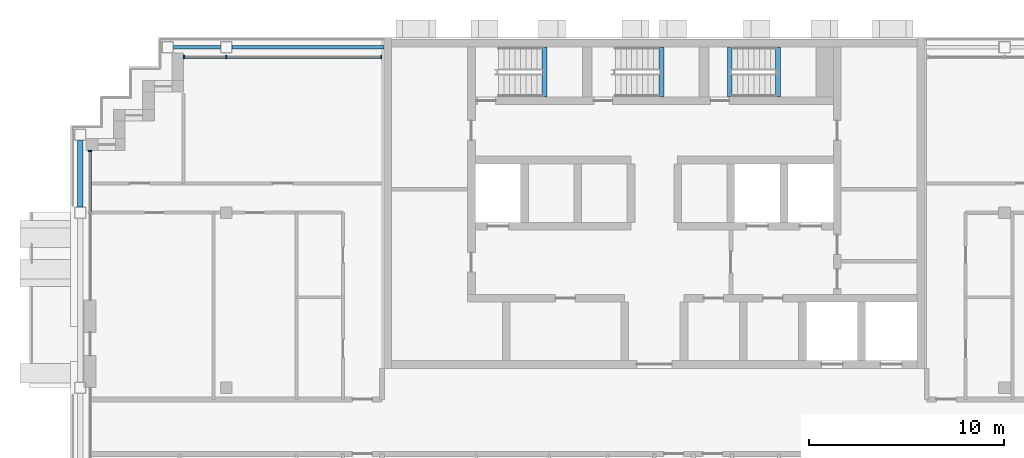
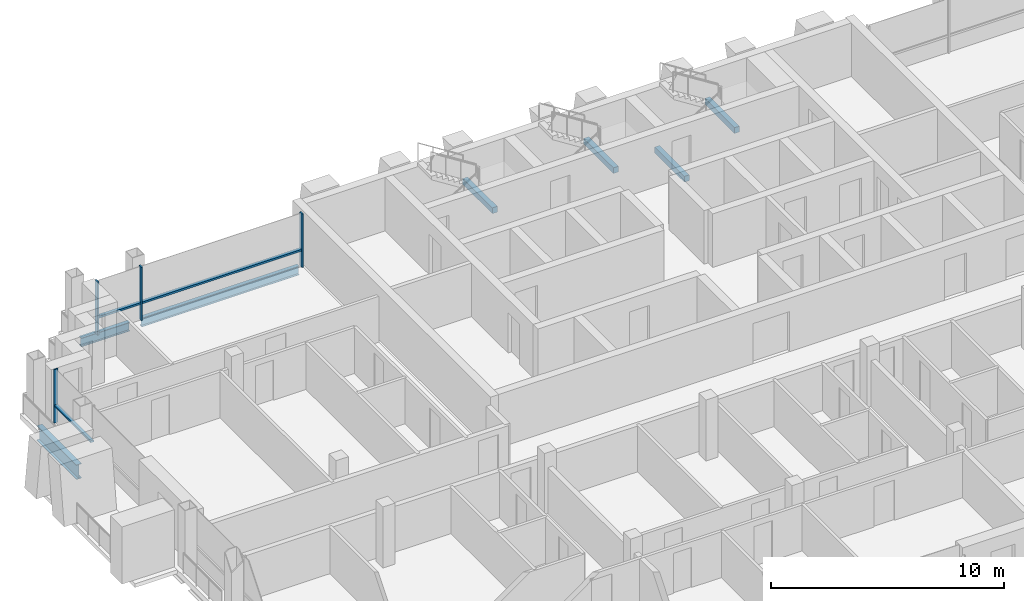
# One storey, part 4 of 15: 7 beams, 7 members, 2 elements without a shape of their own.
"""IFC4 building model written with IfcOpenShell, lengths in metres."""

from ifc_helpers import new_model, si_unit, direction, frame, origin, origin_2d, place, context, subcontext, project, spatial, rectangle, i_section, extrude, material, material_profile, profile_set, type_object, element, aggregate, save


model = new_model("IFC4")

# Units and contexts
model_context = context("Model", 3, precision=1e-05, world=origin(), true_north=direction((0.0, 1.0)))
body_context = subcontext(model_context, "Body", "Model", "MODEL_VIEW")
ifc_project = project(units=[si_unit("LENGTHUNIT", "METRE"), si_unit("AREAUNIT", "SQUARE_METRE"), si_unit("VOLUMEUNIT", "CUBIC_METRE"), si_unit("PLANEANGLEUNIT", "RADIAN"), si_unit("MASSUNIT", "GRAM", prefix="KILO")], contexts=[model_context])

# Site, building, storey
site_placement = place(None, origin())
site = spatial("IfcSite", under=ifc_project, at=site_placement, CompositionType="ELEMENT")
building_placement = place(site_placement, origin())
building = spatial("IfcBuilding", under=site, at=building_placement, Name="Vidyagriha Tower", CompositionType="ELEMENT")
storey_placement = place(building_placement, frame((0.0, 0.0, 236.39990234375)))
storey = spatial("IfcBuildingStorey", under=building, at=storey_placement, Name="L62", CompositionType="ELEMENT", Elevation=236.39990234375)

# Beams
ifc_material_1 = material(Name="Steel ASTM A992 Grade 50", Category="steel")
ifc_material_profile_1 = material_profile(ifc_material_1, i_section(OverallWidth=0.2666015625, OverallDepth=0.76953125, WebThickness=0.015625, FlangeThickness=0.025390625, at=origin_2d()), Name="W30X132")
ifc_profile_set_1 = profile_set([ifc_material_profile_1], Name="Steel ASTM A992 Grade 50")
beam_type_1 = type_object("IfcBeamType", Name="Cantilever edge beam W30X132", PredefinedType="SPANDREL", material=ifc_profile_set_1)
beam_1_placement = place(storey_placement, frame((-29.5, 11.300048828125, -0.664794921875), z_axis=(0.0, 1.0, 0.0), x_axis=(-1.0, 0.0, 0.0)))
element("IfcBeam", 1, at=beam_1_placement, inside=storey, type_object=beam_type_1, Name="st-beam-L62-W12", PredefinedType="SPANDREL", context=body_context, shape_type="SweptSolid", body=[
    extrude(i_section(OverallWidth=0.2666015625, OverallDepth=0.76953125, WebThickness=0.015625, FlangeThickness=0.025390625, at=origin_2d()), origin(), (0.0, 0.0, 1.0), 3.39990234375),
])
ifc_material_2 = material(Name="Steel ASTM A992 Grade 50", Category="steel")
ifc_material_profile_2 = material_profile(ifc_material_2, i_section(OverallWidth=0.19189453125, OverallDepth=0.46240234375, WebThickness=0.010498046875, FlangeThickness=0.017578125, at=origin_2d()), Name="W18X60")
ifc_profile_set_2 = profile_set([ifc_material_profile_2], Name="Steel ASTM A992 Grade 50")
beam_type_2 = type_object("IfcBeamType", Name="Edge beam W18X60", PredefinedType="SPANDREL", material=ifc_profile_set_2)
beam_2_placement = place(storey_placement, frame((-24.699951171875, 19.5, -0.510986328125), z_axis=(1.0, 0.0, 0.0), x_axis=(0.0, 1.0, 0.0)))
element("IfcBeam", 2, at=beam_2_placement, inside=storey, type_object=beam_type_2, Name="st-beam-L62-NW18", PredefinedType="SPANDREL", context=body_context, shape_type="SweptSolid", body=[
    extrude(i_section(OverallWidth=0.19189453125, OverallDepth=0.46240234375, WebThickness=0.010498046875, FlangeThickness=0.017578125, at=origin_2d()), origin(), (0.0, 0.0, 1.0), 2.39990234375),
])
beam_3_placement = place(storey_placement, frame((-21.699951171875, 19.5, -0.510986328125), z_axis=(1.0, 0.0, 0.0), x_axis=(0.0, 1.0, 0.0)))
element("IfcBeam", 3, at=beam_3_placement, inside=storey, type_object=beam_type_2, Name="st-beam-L62-NC20", PredefinedType="SPANDREL", context=body_context, shape_type="SweptSolid", body=[
    extrude(i_section(OverallWidth=0.19189453125, OverallDepth=0.46240234375, WebThickness=0.010498046875, FlangeThickness=0.017578125, at=origin_2d()), origin(), (0.0, 0.0, 1.0), 7.800048828125),
])

# Curtain wall, members
ifc_material_3 = material(Name="Aluminium and glass curtain wall", Category="aluminium")
curtain_wall_type = type_object("IfcCurtainWallType", Name="Dwelling skin unitised curtain wall", PredefinedType="USERDEFINED", material=ifc_material_3)
curtain_wall_1_placement = place(storey_placement, origin())
curtain_wall_1 = element("IfcCurtainWall", 4, at=curtain_wall_1_placement, inside=storey, type_object=curtain_wall_type, Name="CW1 dwelling skin", ObjectType="UNITISED", PredefinedType="USERDEFINED")
ifc_material_4 = material(Name="Aluminium black anodised", Category="aluminium")
ifc_material_profile_3 = material_profile(ifc_material_4, rectangle(XDim=0.199951171875, YDim=0.070068359375, at=origin_2d()), Name="Mullion 70x200 black aluminium")
ifc_profile_set_3 = profile_set([ifc_material_profile_3], Name="Aluminium black anodised")
member_type_1 = type_object("IfcMemberType", Name="Mullion 70x200 black aluminium", PredefinedType="MULLION", material=ifc_profile_set_3)
member_1_placement = place(storey_placement, frame((-14.034912109375, 19.0, 0.0), z_axis=(0.0, 0.0, 1.0), x_axis=(0.0, -1.0, 0.0)))
member_1 = element("IfcMember", 5, at=member_1_placement, type_object=member_type_1, Name="CW1 mullion 1", PredefinedType="MULLION", context=body_context, shape_type="SweptSolid", body=[
    extrude(rectangle(XDim=0.199951171875, YDim=0.070068359375, at=origin_2d()), origin(), (0.0, 0.0, 1.0), 2.800048828125),
])
member_2_placement = place(storey_placement, frame((-22.0, 19.0, 0.0), z_axis=(0.0, 0.0, 1.0), x_axis=(0.0, -1.0, 0.0)))
member_2 = element("IfcMember", 6, at=member_2_placement, type_object=member_type_1, Name="CW1 mullion 2", PredefinedType="MULLION", context=body_context, shape_type="SweptSolid", body=[
    extrude(rectangle(XDim=0.199951171875, YDim=0.070068359375, at=origin_2d()), origin(), (0.0, 0.0, 1.0), 2.800048828125),
])
member_3_placement = place(storey_placement, frame((-24.1650390625, 19.0, 0.0), z_axis=(0.0, 0.0, 1.0), x_axis=(0.0, -1.0, 0.0)))
member_3 = element("IfcMember", 7, at=member_3_placement, type_object=member_type_1, Name="CW1 mullion 3", PredefinedType="MULLION", context=body_context, shape_type="SweptSolid", body=[
    extrude(rectangle(XDim=0.199951171875, YDim=0.070068359375, at=origin_2d()), origin(), (0.0, 0.0, 1.0), 2.800048828125),
])

# Curtain wall, member
curtain_wall_2_placement = place(storey_placement, origin())
curtain_wall_2 = element("IfcCurtainWall", 8, at=curtain_wall_2_placement, inside=storey, type_object=curtain_wall_type, Name="CW1 dwelling skin", ObjectType="UNITISED", PredefinedType="USERDEFINED")
member_4_placement = place(storey_placement, frame((-29.0, 14.1650390625, 0.0)))
member_4 = element("IfcMember", 9, at=member_4_placement, type_object=member_type_1, Name="CW1 mullion 1", PredefinedType="MULLION", context=body_context, shape_type="SweptSolid", body=[
    extrude(rectangle(XDim=0.199951171875, YDim=0.070068359375, at=origin_2d()), origin(), (0.0, 0.0, 1.0), 2.800048828125),
])

# Beams
ifc_material_5 = material(Name="Concrete C40/50", Category="concrete")
ifc_material_profile_4 = material_profile(ifc_material_5, rectangle(XDim=0.25, YDim=0.300048828125, at=origin_2d()), Name="Stair landing bearing beam 250x300")
ifc_profile_set_4 = profile_set([ifc_material_profile_4], Name="Concrete C40/50")
beam_type_3 = type_object("IfcBeamType", Name="Stair landing bearing beam 250x300", PredefinedType="BEAM", material=ifc_profile_set_4)
for number, where, z_axis, x_axis, name in (
    (10, (3.875, 16.949951171875, -0.429931640625), (0.0, 1.0, 0.0), (-1.0, 0.0, 0.0), "ST3 floor landing bearing beam L62"),
    (11, (-5.635009765625, 16.949951171875, 1.25), (0.0, 1.0, 0.0), (-1.0, 0.0, 0.0), "ST1 landing bearing beam L62"),
    (12, (0.364990234375, 16.949951171875, 1.25), (0.0, 1.0, 0.0), (-1.0, 0.0, 0.0), "ST2 landing bearing beam L62"),
    (13, (6.364990234375, 16.949951171875, 1.25), (0.0, 1.0, 0.0), (-1.0, 0.0, 0.0), "ST3 landing bearing beam L62"),
):
    element("IfcBeam", number, at=place(storey_placement, frame(where, z_axis=z_axis, x_axis=x_axis)), inside=storey, type_object=beam_type_3, Name=name, PredefinedType="BEAM", context=body_context, shape_type="SweptSolid", body=[
        extrude(rectangle(XDim=0.25, YDim=0.300048828125, at=origin_2d()), origin(), (0.0, 0.0, 1.0), 2.550048828125),
    ])

# Member
ifc_material_6 = material(Name="Aluminium black anodised", Category="aluminium")
ifc_material_profile_5 = material_profile(ifc_material_6, rectangle(XDim=0.159912109375, YDim=0.10009765625, at=origin_2d()), Name="Transom 100x160 black aluminium")
ifc_profile_set_5 = profile_set([ifc_material_profile_5], Name="Aluminium black anodised")
member_type_2 = type_object("IfcMemberType", Name="Transom 100x160 black aluminium", PredefinedType="USERDEFINED", material=ifc_profile_set_5)
member_5_placement = place(storey_placement, frame((-14.070068359375, 19.0, 0.900146484375), z_axis=(-1.0, 0.0, 0.0), x_axis=(0.0, -1.0, 0.0)))
member_5 = element("IfcMember", 14, at=member_5_placement, type_object=member_type_2, Name="CW1 transom 1.1", ObjectType="TRANSOM", PredefinedType="USERDEFINED", context=body_context, shape_type="SweptSolid", body=[
    extrude(rectangle(XDim=0.159912109375, YDim=0.10009765625, at=origin_2d()), origin(), (0.0, 0.0, 1.0), 7.89501953125),
])

member_6_placement = place(storey_placement, frame((-22.034912109375, 19.0, 0.900146484375), z_axis=(-1.0, 0.0, 0.0), x_axis=(0.0, -1.0, 0.0)))
member_6 = element("IfcMember", 15, at=member_6_placement, type_object=member_type_2, Name="CW1 transom 2.1", ObjectType="TRANSOM", PredefinedType="USERDEFINED", context=body_context, shape_type="SweptSolid", body=[
    extrude(rectangle(XDim=0.159912109375, YDim=0.10009765625, at=origin_2d()), origin(), (0.0, 0.0, 1.0), 2.094970703125),
])

aggregate(curtain_wall_1, [member_1, member_2, member_3, member_5, member_6])

member_7_placement = place(storey_placement, frame((-29.0, 14.1298828125, 0.900146484375), z_axis=(0.0, -1.0, 0.0), x_axis=(1.0, 0.0, 0.0)))
member_7 = element("IfcMember", 16, at=member_7_placement, type_object=member_type_2, Name="CW1 transom 1.1", ObjectType="TRANSOM", PredefinedType="USERDEFINED", context=body_context, shape_type="SweptSolid", body=[
    extrude(rectangle(XDim=0.159912109375, YDim=0.10009765625, at=origin_2d()), origin(), (0.0, 0.0, 1.0), 3.094970703125),
])

aggregate(curtain_wall_2, [member_4, member_7])

save(model, "model.ifc")
